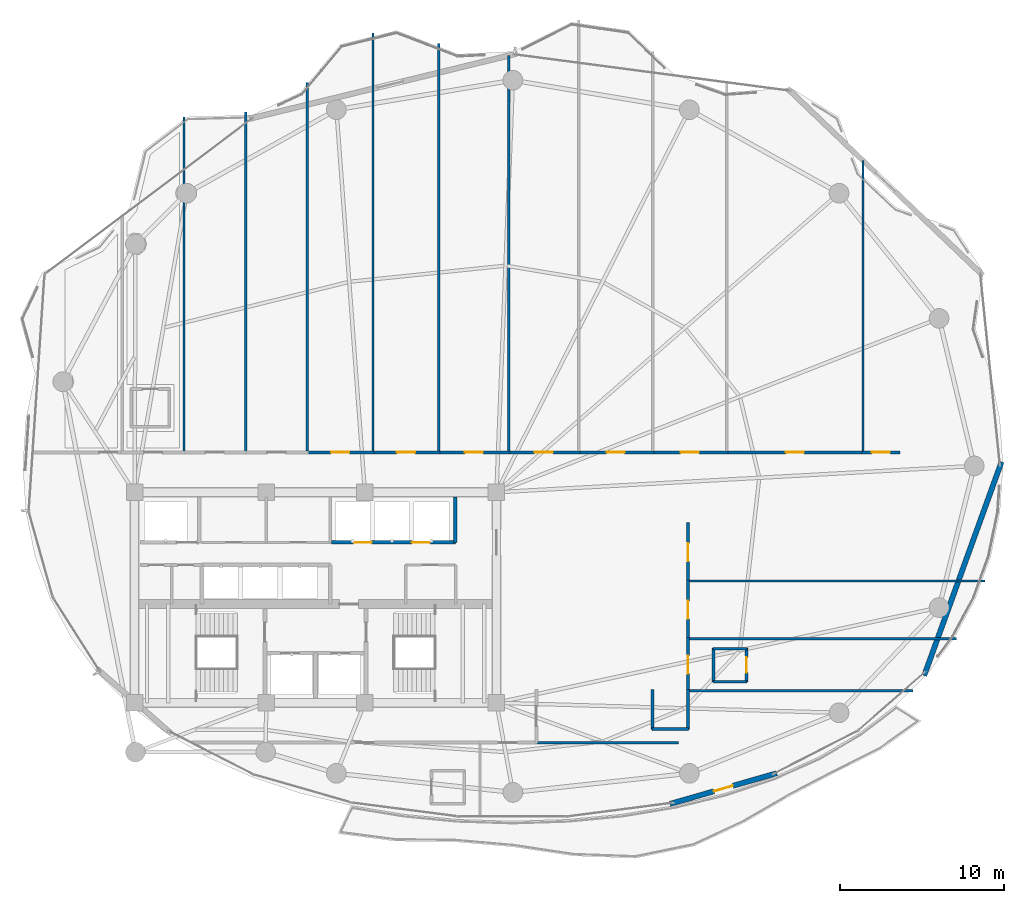
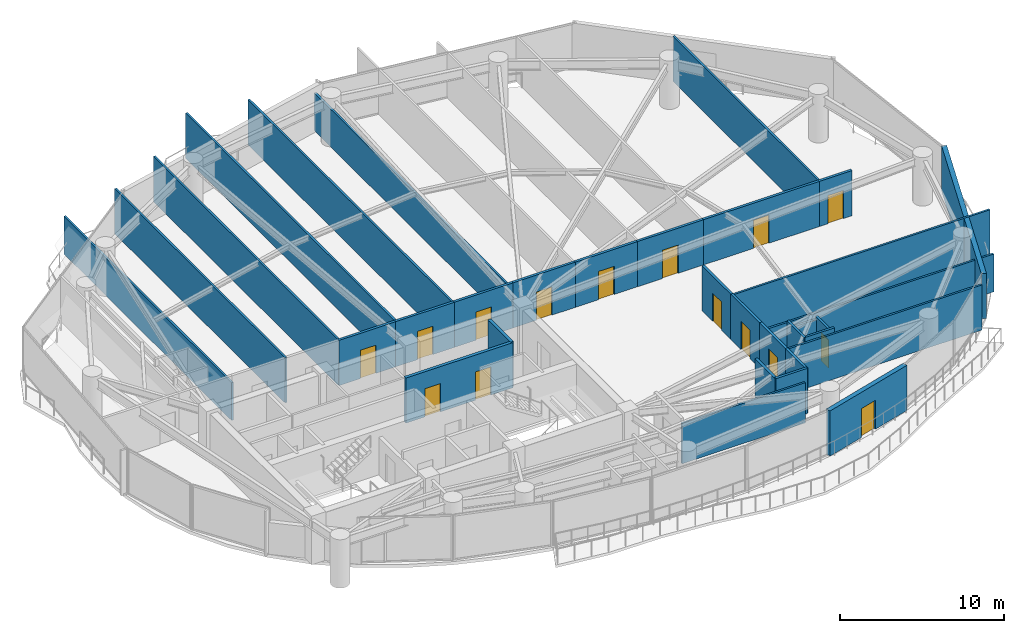
# One storey, part 26 of 31: 33 walls, 15 doors, 15 openings.
"""IFC4 building model written with IfcOpenShell, lengths in metres."""

import ifcopenshell
import ifcopenshell.guid

model = None  # the IFC model being written
_history = None  # IfcOwnerHistory: only IFC2X3 demands one
_inside = {}  # id of a spatial element -> (the spatial element, [elements in it])
_under = {}  # id of a project, library or spatial element -> (it, [spatial elements below it])
_declared = {}  # id of a project -> (the project, [libraries it declares])
_typed = {}  # id of a type object -> (the type object, [elements of that type])
_made_of = {}  # id of a material, layer set ... -> (it, [elements and type objects made of it])


def new_model(schema):
    """Start an empty IFC model of exactly this schema.

    Asked for "IFC4X3", IfcOpenShell would pick the latest addendum, in which some entities
    have other attributes; the version numbers below select the first issue.
    IFC2X3 requires an IfcOwnerHistory on every rooted entity: one is made here for all.
    """
    global model, _history
    if schema == "IFC4X3":
        model = ifcopenshell.file(schema_version=(4, 3, 0, 0))
    else:
        model = ifcopenshell.file(schema=schema)
    _inside.clear()
    _under.clear()
    _declared.clear()
    _typed.clear()
    _made_of.clear()
    _history = None
    if model.schema == "IFC2X3":
        org = make("IfcOrganization", Name="unknown")
        user = make(
            "IfcPersonAndOrganization",
            ThePerson=make("IfcPerson", FamilyName="unknown"),
            TheOrganization=org,
        )
        app = make(
            "IfcApplication",
            ApplicationDeveloper=org,
            Version="unknown",
            ApplicationFullName="unknown",
            ApplicationIdentifier="unknown",
        )
        _history = make(
            "IfcOwnerHistory",
            OwningUser=user,
            OwningApplication=app,
            ChangeAction="ADDED",
            CreationDate=0,
        )
    return model


def make(cls, **values):
    """One entity of the class cls with the attributes given. An attribute that is None is left unset."""
    return model.create_entity(
        cls, **{name: value for name, value in values.items() if value is not None}
    )


def rooted(cls, **values):
    """An entity with a GlobalId (a new one), such as an element, a storey or a relation."""
    return make(cls, GlobalId=ifcopenshell.guid.new(), OwnerHistory=_history, **values)


def si_unit(unit_type, name, prefix=None):
    """IfcSIUnit, for example si_unit("LENGTHUNIT", "METRE", prefix="MILLI")."""
    return make("IfcSIUnit", UnitType=unit_type, Prefix=prefix, Name=name)


def assignment(units):
    """IfcUnitAssignment: the units of a project."""
    return None if units is None else make("IfcUnitAssignment", Units=units)


def point(xyz):
    """IfcCartesianPoint."""
    return None if xyz is None else make("IfcCartesianPoint", Coordinates=xyz)


def direction(xyz):
    """IfcDirection."""
    return None if xyz is None else make("IfcDirection", DirectionRatios=xyz)


def frame(location, z_axis=None, x_axis=None):
    """IfcAxis2Placement3D, a coordinate frame: its origin and axes. An axis left out is left unset."""
    return make(
        "IfcAxis2Placement3D",
        Location=point(location),
        Axis=direction(z_axis),
        RefDirection=direction(x_axis),
    )


def frame_2d(location, x_axis=None):
    """IfcAxis2Placement2D, a coordinate frame in the plane: its origin and x axis."""
    return make(
        "IfcAxis2Placement2D", Location=point(location), RefDirection=direction(x_axis)
    )


def origin():
    """The frame at (0, 0, 0) with its axes left unset."""
    return frame((0.0, 0.0, 0.0))


def place(relative_to, where):
    """IfcLocalPlacement: puts the frame where relative to a parent placement (None: the world)."""
    return make(
        "IfcLocalPlacement", PlacementRelTo=relative_to, RelativePlacement=where
    )


def context(
    kind, dimensions, precision=None, world=None, true_north=None, identifier=None
):
    """IfcGeometricRepresentationContext, for example the 3D "Model" context."""
    return make(
        "IfcGeometricRepresentationContext",
        ContextIdentifier=identifier,
        ContextType=kind,
        CoordinateSpaceDimension=dimensions,
        Precision=precision,
        WorldCoordinateSystem=world,
        TrueNorth=true_north,
    )


def subcontext(parent, identifier, kind, view, scale=None):
    """IfcGeometricRepresentationSubContext, for example "Body" below "Model"."""
    return make(
        "IfcGeometricRepresentationSubContext",
        ContextIdentifier=identifier,
        ContextType=kind,
        ParentContext=parent,
        TargetScale=scale,
        TargetView=view,
    )


def project(units=None, contexts=None):
    """IfcProject with its units and contexts."""
    return rooted(
        "IfcProject",
        Name="project",
        RepresentationContexts=contexts,
        UnitsInContext=assignment(units),
    )


def spatial(cls, under=None, at=None, **own):
    """A site, building, storey or space (cls), placed at a placement, below another one or the project."""
    s = rooted(cls, ObjectPlacement=at, **own)
    if under is not None:
        _under.setdefault(under.id(), (under, []))[1].append(s)
    return s


def profile(cls, at=None, kind="AREA", **sizes):
    """A parametric profile (cls). Its sizes go by their IFC names, for example OverallWidth=200.0."""
    return make(cls, ProfileType=kind, Position=at, **sizes)


def rectangle(**sizes):
    """IfcRectangleProfileDef."""
    return profile("IfcRectangleProfileDef", **sizes)


def extrude(swept, where, along, depth):
    """IfcExtrudedAreaSolid: the profile swept, set in the frame where, extruded along a direction by depth."""
    return make(
        "IfcExtrudedAreaSolid",
        SweptArea=swept,
        Position=where,
        ExtrudedDirection=direction(along),
        Depth=depth,
    )


def shape(context_of_items, identifier, shape_type, items):
    """IfcShapeRepresentation: the items that make up one representation, for example the "Body"."""
    return make(
        "IfcShapeRepresentation",
        ContextOfItems=context_of_items,
        RepresentationIdentifier=identifier,
        RepresentationType=shape_type,
        Items=items,
    )


def material(Name=None, Category=None):
    """IfcMaterial."""
    return make("IfcMaterial", Name=Name, Category=Category)


def layer(
    of_material, thickness, ventilated=None, Name=None, Category=None, Priority=None
):
    """IfcMaterialLayer: one layer of a wall or slab, of a material (None: an air gap)."""
    return make(
        "IfcMaterialLayer",
        Material=of_material,
        LayerThickness=thickness,
        IsVentilated=ventilated,
        Name=Name,
        Category=Category,
        Priority=Priority,
    )


def layer_set(layers, Name=None):
    """IfcMaterialLayerSet."""
    return make("IfcMaterialLayerSet", MaterialLayers=layers, LayerSetName=Name)


def made_of(thing, what):
    """Note that an element or type object is made of a material, layer set ...; save() writes the relation."""
    if what is not None:
        _made_of.setdefault(what.id(), (what, []))[1].append(thing)
    return thing


def type_object(cls, material=None, **own):
    """A type object (cls), such as IfcWallType, which elements share."""
    return made_of(rooted(cls, **own), material)


def element(
    cls,
    number,
    at=None,
    inside=None,
    cuts=None,
    type_object=None,
    material=None,
    context=None,
    identifier="Body",
    shape_type=None,
    held_by="IfcProductDefinitionShape",
    body=None,
    shapes=None,
    **own,
):
    """One element of the class cls, such as IfcWall. Its Tag is "e" and its number.

    at: its placement. inside: the storey or other place that contains it. cuts: it is an
    opening in that element (IfcRelVoidsElement). A single representation is given by context,
    identifier, shape_type and body (its items); several are given by shapes. held_by: the class
    of the entity that holds the representations. save() writes the other relations.
    """
    e = rooted(cls, Tag="e%d" % number, ObjectPlacement=at, **own)
    if body is not None:
        shapes = [shape(context, identifier, shape_type, body)]
    if shapes is not None:
        e.Representation = make(held_by, Representations=shapes)
    if inside is not None:
        _inside.setdefault(inside.id(), (inside, []))[1].append(e)
    if cuts is not None:
        rooted(
            "IfcRelVoidsElement", RelatingBuildingElement=cuts, RelatedOpeningElement=e
        )
    if type_object is not None:
        _typed.setdefault(type_object.id(), (type_object, []))[1].append(e)
    return made_of(e, material)


def fill(opening, filler):
    """IfcRelFillsElement: the door or window that sits in an opening."""
    return rooted(
        "IfcRelFillsElement",
        RelatingOpeningElement=opening,
        RelatedBuildingElement=filler,
    )


def aggregate(whole, parts):
    """IfcRelAggregates: a whole, such as a stair, and the parts it consists of."""
    return rooted("IfcRelAggregates", RelatingObject=whole, RelatedObjects=parts)


def save(model, path):
    """Write the relations noted so far, then the file.

    IfcRelAggregates (storeys below a building ...), IfcRelContainedInSpatialStructure (elements
    in a storey), IfcRelDefinesByType, IfcRelAssociatesMaterial and IfcRelDeclares: one each for
    every whole, place, type object, material and project.
    """
    for whole, parts in _under.values():
        aggregate(whole, parts)
    for where, things in _inside.values():
        rooted(
            "IfcRelContainedInSpatialStructure",
            RelatedElements=things,
            RelatingStructure=where,
        )
    for kind, things in _typed.values():
        rooted("IfcRelDefinesByType", RelatedObjects=things, RelatingType=kind)
    for what, things in _made_of.values():
        rooted("IfcRelAssociatesMaterial", RelatedObjects=things, RelatingMaterial=what)
    for by, libraries in _declared.values():
        rooted("IfcRelDeclares", RelatingContext=by, RelatedDefinitions=libraries)
    model.write(path)


model = new_model("IFC4")

# Units and contexts
model_context = context("Model", 3, precision=1e-05, world=origin(), true_north=direction((0.0, 1.0)))
body_context = subcontext(model_context, "Body", "Model", "MODEL_VIEW")
ifc_project = project(units=[si_unit("LENGTHUNIT", "METRE"), si_unit("AREAUNIT", "SQUARE_METRE"), si_unit("VOLUMEUNIT", "CUBIC_METRE"), si_unit("PLANEANGLEUNIT", "RADIAN"), si_unit("MASSUNIT", "GRAM", prefix="KILO")], contexts=[model_context])

# Site, building, storey
site_placement = place(None, origin())
site = spatial("IfcSite", under=ifc_project, at=site_placement, CompositionType="ELEMENT")
building_placement = place(site_placement, origin())
building = spatial("IfcBuilding", under=site, at=building_placement, Name="Kazevale Care Tower and Concert Hall", CompositionType="ELEMENT")
storey_placement = place(building_placement, frame((0.0, 0.0, 124.199951171875)))
storey = spatial("IfcBuildingStorey", under=building, at=storey_placement, Name="L32", CompositionType="ELEMENT", Elevation=124.199951171875)

# Walls
ifc_material_1 = material(Name="Acoustic Gypsum on Steel Stud", Category="steel")
ifc_layer_1 = layer(ifc_material_1, 0.139892578125)
ifc_layer_set_1 = layer_set([ifc_layer_1], Name="Acoustic Gypsum on Steel Stud")
wall_type_1 = type_object("IfcWallType", Name="Acoustic Care & Suite Partition 140", PredefinedType="PARTITIONING", material=ifc_layer_set_1)
wall_1_placement = place(storey_placement, frame((25.0, 59.22412109375, 0.0), z_axis=(0.0, 0.0, 1.0), x_axis=(0.0, -1.0, 0.0)))
element("IfcWall", 1, at=wall_1_placement, inside=storey, type_object=wall_type_1, Name="wall:L32:auto_023", PredefinedType="PARTITIONING", context=body_context, shape_type="SweptSolid", body=[
    extrude(rectangle(XDim=20.42919921875, YDim=0.139892578125, at=frame_2d((10.214599609375, 0.0))), origin(), (0.0, 0.0, 1.0), 2.80615234375),
])
wall_2_placement = place(storey_placement, frame((28.75, 59.52587890625, 0.0), z_axis=(0.0, 0.0, 1.0), x_axis=(0.0, -1.0, 0.0)))
element("IfcWall", 2, at=wall_2_placement, inside=storey, type_object=wall_type_1, Name="wall:L32:auto_024", PredefinedType="PARTITIONING", context=body_context, shape_type="SweptSolid", body=[
    extrude(rectangle(XDim=20.73095703125, YDim=0.139892578125, at=frame_2d((10.365478515625, 0.0))), origin(), (0.0, 0.0, 1.0), 3.360107421875),
])
wall_3_placement = place(storey_placement, frame((32.5, 61.318115234375, 0.0), z_axis=(0.0, 0.0, 1.0), x_axis=(0.0, -1.0, 0.0)))
element("IfcWall", 3, at=wall_3_placement, inside=storey, type_object=wall_type_1, Name="wall:L32:auto_025", PredefinedType="PARTITIONING", context=body_context, shape_type="SweptSolid", body=[
    extrude(rectangle(XDim=22.523193359375, YDim=0.139892578125, at=frame_2d((11.26171875, 0.0))), origin(), (0.0, 0.0, 1.0), 3.360107421875),
])
wall_4_placement = place(storey_placement, frame((36.5, 64.31005859375, 0.0), z_axis=(0.0, 0.0, 1.0), x_axis=(0.0, -1.0, 0.0)))
element("IfcWall", 4, at=wall_4_placement, inside=storey, type_object=wall_type_1, Name="wall:L32:auto_026", PredefinedType="PARTITIONING", context=body_context, shape_type="SweptSolid", body=[
    extrude(rectangle(XDim=25.51513671875, YDim=0.139892578125, at=frame_2d((12.757568359375, 0.0))), origin(), (0.0, 0.0, 1.0), 3.360107421875),
])
wall_5_placement = place(storey_placement, frame((40.5, 63.674072265625, 0.0), z_axis=(0.0, 0.0, 1.0), x_axis=(0.0, -1.0, 0.0)))
element("IfcWall", 5, at=wall_5_placement, inside=storey, type_object=wall_type_1, Name="wall:L32:auto_027", PredefinedType="PARTITIONING", context=body_context, shape_type="SweptSolid", body=[
    extrude(rectangle(XDim=24.879150390625, YDim=0.139892578125, at=frame_2d((12.439453125, 0.0))), origin(), (0.0, 0.0, 1.0), 3.360107421875),
])
wall_6_placement = place(storey_placement, frame((44.75, 62.939453125, 0.0), z_axis=(0.0, 0.0, 1.0), x_axis=(0.0, -1.0, 0.0)))
element("IfcWall", 6, at=wall_6_placement, inside=storey, type_object=wall_type_1, Name="wall:L32:auto_028", PredefinedType="PARTITIONING", context=body_context, shape_type="SweptSolid", body=[
    extrude(rectangle(XDim=24.14453125, YDim=0.139892578125, at=frame_2d((12.072265625, 0.0))), origin(), (0.0, 0.0, 1.0), 2.80615234375),
])
wall_7_placement = place(storey_placement, frame((66.280029296875, 56.5556640625, 0.0), z_axis=(0.0, 0.0, 1.0), x_axis=(0.0, -1.0, 0.0)))
element("IfcWall", 7, at=wall_7_placement, inside=storey, type_object=wall_type_1, Name="wall:L32:auto_032", PredefinedType="PARTITIONING", context=body_context, shape_type="SweptSolid", body=[
    extrude(rectangle(XDim=17.7607421875, YDim=0.139892578125, at=frame_2d((8.88037109375, 0.0))), origin(), (0.0, 0.0, 1.0), 3.360107421875),
])
wall_8_placement = place(storey_placement, frame((55.6201171875, 24.340087890625, 0.0), z_axis=(0.0, 0.0, 1.0), x_axis=(1.0, 0.0, 0.0)))
element("IfcWall", 8, at=wall_8_placement, inside=storey, type_object=wall_type_1, Name="wall:L32:auto_033", PredefinedType="PARTITIONING", context=body_context, shape_type="SweptSolid", body=[
    extrude(rectangle(XDim=13.69580078125, YDim=0.139892578125, at=frame_2d((6.847900390625, 0.0))), origin(), (0.0, 0.0, 1.0), 3.360107421875),
])
wall_9_placement = place(storey_placement, frame((55.06494140625, 21.175048828125, 0.0), z_axis=(0.0, 0.0, 1.0), x_axis=(-1.0, 0.0, 0.0)))
element("IfcWall", 9, at=wall_9_placement, inside=storey, type_object=wall_type_1, Name="wall:L32:auto_034", PredefinedType="PARTITIONING", context=body_context, shape_type="SweptSolid", body=[
    extrude(rectangle(XDim=8.669921875, YDim=0.139892578125, at=frame_2d((4.3349609375, 0.0))), origin(), (0.0, 0.0, 1.0), 2.99609375),
])
wall_10_placement = place(storey_placement, frame((55.6201171875, 27.5, 0.0), z_axis=(0.0, 0.0, 1.0), x_axis=(1.0, 0.0, 0.0)))
element("IfcWall", 10, at=wall_10_placement, inside=storey, type_object=wall_type_1, Name="wall:L32:auto_035", PredefinedType="PARTITIONING", context=body_context, shape_type="SweptSolid", body=[
    extrude(rectangle(XDim=16.345947265625, YDim=0.139892578125, at=frame_2d((8.1728515625, 0.0))), origin(), (0.0, 0.0, 1.0), 2.80615234375),
])
wall_11_placement = place(storey_placement, frame((55.6201171875, 31.0, 0.0), z_axis=(0.0, 0.0, 1.0), x_axis=(1.0, 0.0, 0.0)))
element("IfcWall", 11, at=wall_11_placement, inside=storey, type_object=wall_type_1, Name="wall:L32:auto_036", PredefinedType="PARTITIONING", context=body_context, shape_type="SweptSolid", body=[
    extrude(rectangle(XDim=18.082763671875, YDim=0.139892578125, at=frame_2d((9.04150390625, 0.0))), origin(), (0.0, 0.0, 1.0), 3.360107421875),
])

# Wall, openings, doors
ifc_material_2 = material(Name="Concrete C40", Category="concrete")
ifc_layer_2 = layer(ifc_material_2, 0.219970703125)
ifc_layer_set_2 = layer_set([ifc_layer_2], Name="Concrete C40")
wall_type_2 = type_object("IfcWallType", Name="Elevator Hoistway Shaft Wall 220", PredefinedType="SOLIDWALL", material=ifc_layer_set_2)
wall_12_placement = place(storey_placement, frame((33.97998046875, 33.35009765625, 0.0), z_axis=(0.0, 0.0, 1.0), x_axis=(1.0, 0.0, 0.0)))
wall_12 = element("IfcWall", 12, at=wall_12_placement, inside=storey, type_object=wall_type_2, Name="wall:L32:c_pm_s", PredefinedType="SOLIDWALL", context=body_context, shape_type="SweptSolid", body=[
    extrude(rectangle(XDim=7.5400390625, YDim=0.219970703125, at=frame_2d((3.77001953125, 0.0))), origin(), (0.0, 0.0, 1.0), 3.360107421875),
])
opening_1_placement = place(wall_12_placement, frame((1.3349609375, 0.0, 0.0)))
opening_1 = element("IfcOpeningElement", 13, at=opening_1_placement, cuts=wall_12, Name="Opening LD-PAX", PredefinedType="OPENING", context=body_context, shape_type="SweptSolid", body=[
    extrude(rectangle(XDim=1.10009765625, YDim=2.10009765625, at=frame_2d((0.550048828125, 1.050048828125))), frame((0.0, 0.119873046875, 0.0), z_axis=(0.0, -1.0, 0.0), x_axis=(1.0, 0.0, 0.0)), (0.0, 0.0, 1.0), 0.239990234375),
])
opening_2_placement = place(wall_12_placement, frame((4.87890625, 0.0, 0.0)))
opening_2 = element("IfcOpeningElement", 14, at=opening_2_placement, cuts=wall_12, Name="Opening LD-PAX", PredefinedType="OPENING", context=body_context, shape_type="SweptSolid", body=[
    extrude(rectangle(XDim=1.10009765625, YDim=2.10009765625, at=frame_2d((0.550048828125, 1.050048828125))), frame((0.0, 0.119873046875, 0.0), z_axis=(0.0, -1.0, 0.0), x_axis=(1.0, 0.0, 0.0)), (0.0, 0.0, 1.0), 0.239990234375),
])
ifc_material_3 = material(Name="Stainless Steel 316", Category="steel")
door_type_1 = type_object("IfcDoorType", Name="Passenger Lift Sliding Landing Door 1100x2100", OperationType="NOTDEFINED", PredefinedType="DOOR", material=ifc_material_3)
door_1_placement = place(opening_1_placement, origin())
door_1 = element("IfcDoor", 15, at=door_1_placement, inside=storey, type_object=door_type_1, Name="door:L32:ld_pm1", OperationType="SLIDING_TO_LEFT", OverallHeight=2.10009765625, OverallWidth=1.10009765625, PredefinedType="DOOR", context=body_context, shape_type="SweptSolid", body=[
    extrude(rectangle(XDim=1.10009765625, YDim=2.10009765625, at=frame_2d((0.550048828125, 1.050048828125))), frame((0.0, 0.02490234375, 0.0), z_axis=(0.0, -1.0, 0.0), x_axis=(1.0, 0.0, 0.0)), (0.0, 0.0, 1.0), 0.050048828125),
])
fill(opening_1, door_1)
door_2_placement = place(opening_2_placement, origin())
door_2 = element("IfcDoor", 16, at=door_2_placement, inside=storey, type_object=door_type_1, Name="door:L32:ld_pm2", OperationType="SLIDING_TO_RIGHT", OverallHeight=2.10009765625, OverallWidth=1.10009765625, PredefinedType="DOOR", context=body_context, shape_type="SweptSolid", body=[
    extrude(rectangle(XDim=1.10009765625, YDim=2.10009765625, at=frame_2d((0.550048828125, 1.050048828125))), frame((0.0, 0.02490234375, 0.0), z_axis=(0.0, -1.0, 0.0), x_axis=(1.0, 0.0, 0.0)), (0.0, 0.0, 1.0), 0.050048828125),
])
fill(opening_2, door_2)

# Wall
wall_13_placement = place(storey_placement, frame((41.5, 33.35009765625, 0.0), z_axis=(0.0, 0.0, 1.0), x_axis=(0.0, 1.0, 0.0)))
element("IfcWall", 17, at=wall_13_placement, inside=storey, type_object=wall_type_2, Name="wall:L32:c_pm_e", PredefinedType="SOLIDWALL", context=body_context, shape_type="SweptSolid", body=[
    extrude(rectangle(XDim=2.75, YDim=0.219970703125, at=frame_2d((1.375, 0.0))), origin(), (0.0, 0.0, 1.0), 3.360107421875),
])

# Wall, opening, door
ifc_material_4 = material(Name="Concrete C40 and Acoustic Gypsum", Category="concrete")
ifc_layer_3 = layer(ifc_material_4, 0.179931640625)
ifc_layer_set_3 = layer_set([ifc_layer_3], Name="Concrete C40 and Acoustic Gypsum")
wall_type_3 = type_object("IfcWallType", Name="Fire-Rated Corridor & Party Wall 180", PredefinedType="PARTITIONING", material=ifc_layer_set_3)
wall_14_placement = place(storey_placement, frame((32.43505859375, 38.824951171875, 0.0), z_axis=(0.0, 0.0, 1.0), x_axis=(1.0, 0.0, 0.0)))
wall_14 = element("IfcWall", 18, at=wall_14_placement, inside=storey, type_object=wall_type_3, Name="wall:L32:auto_005", PredefinedType="PARTITIONING", context=body_context, shape_type="SweptSolid", body=[
    extrude(rectangle(XDim=4.1298828125, YDim=0.179931640625, at=frame_2d((2.06494140625, 0.0))), origin(), (0.0, 0.0, 1.0), 3.360107421875),
])
opening_3_placement = place(wall_14_placement, frame((1.514892578125, 0.0, 0.0)))
opening_3 = element("IfcOpeningElement", 19, at=opening_3_placement, cuts=wall_14, Name="Opening ID-1100", PredefinedType="OPENING", context=body_context, shape_type="SweptSolid", body=[
    extrude(rectangle(XDim=1.10009765625, YDim=2.10009765625, at=frame_2d((0.550048828125, 1.050048828125))), frame((0.0, 0.099853515625, 0.0), z_axis=(0.0, -1.0, 0.0), x_axis=(1.0, 0.0, 0.0)), (0.0, 0.0, 1.0), 0.199951171875),
])
ifc_material_5 = material(Name="Oak Timber Fire Leaf", Category="wood")
door_type_2 = type_object("IfcDoorType", Name="Care Bedroom Accessible Door 1100x2100", OperationType="NOTDEFINED", PredefinedType="DOOR", material=ifc_material_5)
door_3_placement = place(opening_3_placement, origin())
door_3 = element("IfcDoor", 20, at=door_3_placement, inside=storey, type_object=door_type_2, Name="door:L32:ad_005", OperationType="SINGLE_SWING_LEFT", OverallHeight=2.10009765625, OverallWidth=1.10009765625, PredefinedType="DOOR", context=body_context, shape_type="SweptSolid", body=[
    extrude(rectangle(XDim=1.10009765625, YDim=2.10009765625, at=frame_2d((0.550048828125, 1.050048828125))), frame((0.0, 0.02490234375, 0.0), z_axis=(0.0, -1.0, 0.0), x_axis=(1.0, 0.0, 0.0)), (0.0, 0.0, 1.0), 0.050048828125),
])
fill(opening_3, door_3)

wall_15_placement = place(storey_placement, frame((36.43505859375, 38.824951171875, 0.0), z_axis=(0.0, 0.0, 1.0), x_axis=(1.0, 0.0, 0.0)))
wall_15 = element("IfcWall", 21, at=wall_15_placement, inside=storey, type_object=wall_type_3, Name="wall:L32:auto_006", PredefinedType="PARTITIONING", context=body_context, shape_type="SweptSolid", body=[
    extrude(rectangle(XDim=4.1298828125, YDim=0.179931640625, at=frame_2d((2.06494140625, 0.0))), origin(), (0.0, 0.0, 1.0), 3.360107421875),
])
opening_4_placement = place(wall_15_placement, frame((1.514892578125, 0.0, 0.0)))
opening_4 = element("IfcOpeningElement", 22, at=opening_4_placement, cuts=wall_15, Name="Opening ID-1100", PredefinedType="OPENING", context=body_context, shape_type="SweptSolid", body=[
    extrude(rectangle(XDim=1.10009765625, YDim=2.10009765625, at=frame_2d((0.550048828125, 1.050048828125))), frame((0.0, 0.099853515625, 0.0), z_axis=(0.0, -1.0, 0.0), x_axis=(1.0, 0.0, 0.0)), (0.0, 0.0, 1.0), 0.199951171875),
])
door_4_placement = place(opening_4_placement, origin())
door_4 = element("IfcDoor", 23, at=door_4_placement, inside=storey, type_object=door_type_2, Name="door:L32:ad_006", OperationType="SINGLE_SWING_LEFT", OverallHeight=2.10009765625, OverallWidth=1.10009765625, PredefinedType="DOOR", context=body_context, shape_type="SweptSolid", body=[
    extrude(rectangle(XDim=1.10009765625, YDim=2.10009765625, at=frame_2d((0.550048828125, 1.050048828125))), frame((0.0, 0.02490234375, 0.0), z_axis=(0.0, -1.0, 0.0), x_axis=(1.0, 0.0, 0.0)), (0.0, 0.0, 1.0), 0.050048828125),
])
fill(opening_4, door_4)

wall_16_placement = place(storey_placement, frame((40.43505859375, 38.824951171875, 0.0), z_axis=(0.0, 0.0, 1.0), x_axis=(1.0, 0.0, 0.0)))
wall_16 = element("IfcWall", 24, at=wall_16_placement, inside=storey, type_object=wall_type_3, Name="wall:L32:auto_007", PredefinedType="PARTITIONING", context=body_context, shape_type="SweptSolid", body=[
    extrude(rectangle(XDim=4.3798828125, YDim=0.179931640625, at=frame_2d((2.18994140625, 0.0))), origin(), (0.0, 0.0, 1.0), 3.360107421875),
])
opening_5_placement = place(wall_16_placement, frame((1.639892578125, 0.0, 0.0)))
opening_5 = element("IfcOpeningElement", 25, at=opening_5_placement, cuts=wall_16, Name="Opening ID-1100", PredefinedType="OPENING", context=body_context, shape_type="SweptSolid", body=[
    extrude(rectangle(XDim=1.10009765625, YDim=2.10009765625, at=frame_2d((0.550048828125, 1.050048828125))), frame((0.0, 0.099853515625, 0.0), z_axis=(0.0, -1.0, 0.0), x_axis=(1.0, 0.0, 0.0)), (0.0, 0.0, 1.0), 0.199951171875),
])
door_5_placement = place(opening_5_placement, origin())
door_5 = element("IfcDoor", 26, at=door_5_placement, inside=storey, type_object=door_type_2, Name="door:L32:ad_007", OperationType="SINGLE_SWING_LEFT", OverallHeight=2.10009765625, OverallWidth=1.10009765625, PredefinedType="DOOR", context=body_context, shape_type="SweptSolid", body=[
    extrude(rectangle(XDim=1.10009765625, YDim=2.10009765625, at=frame_2d((0.550048828125, 1.050048828125))), frame((0.0, 0.02490234375, 0.0), z_axis=(0.0, -1.0, 0.0), x_axis=(1.0, 0.0, 0.0)), (0.0, 0.0, 1.0), 0.050048828125),
])
fill(opening_5, door_5)

wall_17_placement = place(storey_placement, frame((44.68505859375, 38.824951171875, 0.0), z_axis=(0.0, 0.0, 1.0), x_axis=(1.0, 0.0, 0.0)))
wall_17 = element("IfcWall", 27, at=wall_17_placement, inside=storey, type_object=wall_type_3, Name="wall:L32:auto_008", PredefinedType="PARTITIONING", context=body_context, shape_type="SweptSolid", body=[
    extrude(rectangle(XDim=4.3798828125, YDim=0.179931640625, at=frame_2d((2.18994140625, 0.0))), origin(), (0.0, 0.0, 1.0), 3.360107421875),
])
opening_6_placement = place(wall_17_placement, frame((1.639892578125, 0.0, 0.0)))
opening_6 = element("IfcOpeningElement", 28, at=opening_6_placement, cuts=wall_17, Name="Opening ID-1100", PredefinedType="OPENING", context=body_context, shape_type="SweptSolid", body=[
    extrude(rectangle(XDim=1.10009765625, YDim=2.10009765625, at=frame_2d((0.550048828125, 1.050048828125))), frame((0.0, 0.099853515625, 0.0), z_axis=(0.0, -1.0, 0.0), x_axis=(1.0, 0.0, 0.0)), (0.0, 0.0, 1.0), 0.199951171875),
])
door_6_placement = place(opening_6_placement, origin())
door_6 = element("IfcDoor", 29, at=door_6_placement, inside=storey, type_object=door_type_2, Name="door:L32:ad_008", OperationType="SINGLE_SWING_LEFT", OverallHeight=2.10009765625, OverallWidth=1.10009765625, PredefinedType="DOOR", context=body_context, shape_type="SweptSolid", body=[
    extrude(rectangle(XDim=1.10009765625, YDim=2.10009765625, at=frame_2d((0.550048828125, 1.050048828125))), frame((0.0, 0.02490234375, 0.0), z_axis=(0.0, -1.0, 0.0), x_axis=(1.0, 0.0, 0.0)), (0.0, 0.0, 1.0), 0.050048828125),
])
fill(opening_6, door_6)

wall_18_placement = place(storey_placement, frame((48.93505859375, 38.824951171875, 0.0), z_axis=(0.0, 0.0, 1.0), x_axis=(1.0, 0.0, 0.0)))
wall_18 = element("IfcWall", 30, at=wall_18_placement, inside=storey, type_object=wall_type_3, Name="wall:L32:auto_009", PredefinedType="PARTITIONING", context=body_context, shape_type="SweptSolid", body=[
    extrude(rectangle(XDim=4.6298828125, YDim=0.179931640625, at=frame_2d((2.31494140625, 0.0))), origin(), (0.0, 0.0, 1.0), 3.360107421875),
])
opening_7_placement = place(wall_18_placement, frame((1.764892578125, 0.0, 0.0)))
opening_7 = element("IfcOpeningElement", 31, at=opening_7_placement, cuts=wall_18, Name="Opening ID-1100", PredefinedType="OPENING", context=body_context, shape_type="SweptSolid", body=[
    extrude(rectangle(XDim=1.10009765625, YDim=2.10009765625, at=frame_2d((0.550048828125, 1.050048828125))), frame((0.0, 0.099853515625, 0.0), z_axis=(0.0, -1.0, 0.0), x_axis=(1.0, 0.0, 0.0)), (0.0, 0.0, 1.0), 0.199951171875),
])
door_7_placement = place(opening_7_placement, origin())
door_7 = element("IfcDoor", 32, at=door_7_placement, inside=storey, type_object=door_type_2, Name="door:L32:ad_009", OperationType="SINGLE_SWING_LEFT", OverallHeight=2.10009765625, OverallWidth=1.10009765625, PredefinedType="DOOR", context=body_context, shape_type="SweptSolid", body=[
    extrude(rectangle(XDim=1.10009765625, YDim=2.10009765625, at=frame_2d((0.550048828125, 1.050048828125))), frame((0.0, 0.02490234375, 0.0), z_axis=(0.0, -1.0, 0.0), x_axis=(1.0, 0.0, 0.0)), (0.0, 0.0, 1.0), 0.050048828125),
])
fill(opening_7, door_7)

wall_19_placement = place(storey_placement, frame((53.43505859375, 38.824951171875, 0.0), z_axis=(0.0, 0.0, 1.0), x_axis=(1.0, 0.0, 0.0)))
wall_19 = element("IfcWall", 33, at=wall_19_placement, inside=storey, type_object=wall_type_3, Name="wall:L32:auto_010", PredefinedType="PARTITIONING", context=body_context, shape_type="SweptSolid", body=[
    extrude(rectangle(XDim=4.6298828125, YDim=0.179931640625, at=frame_2d((2.31494140625, 0.0))), origin(), (0.0, 0.0, 1.0), 3.360107421875),
])
opening_8_placement = place(wall_19_placement, frame((1.764892578125, 0.0, 0.0)))
opening_8 = element("IfcOpeningElement", 34, at=opening_8_placement, cuts=wall_19, Name="Opening ID-1100", PredefinedType="OPENING", context=body_context, shape_type="SweptSolid", body=[
    extrude(rectangle(XDim=1.10009765625, YDim=2.10009765625, at=frame_2d((0.550048828125, 1.050048828125))), frame((0.0, 0.099853515625, 0.0), z_axis=(0.0, -1.0, 0.0), x_axis=(1.0, 0.0, 0.0)), (0.0, 0.0, 1.0), 0.199951171875),
])
door_8_placement = place(opening_8_placement, origin())
door_8 = element("IfcDoor", 35, at=door_8_placement, inside=storey, type_object=door_type_2, Name="door:L32:ad_010", OperationType="SINGLE_SWING_LEFT", OverallHeight=2.10009765625, OverallWidth=1.10009765625, PredefinedType="DOOR", context=body_context, shape_type="SweptSolid", body=[
    extrude(rectangle(XDim=1.10009765625, YDim=2.10009765625, at=frame_2d((0.550048828125, 1.050048828125))), frame((0.0, 0.02490234375, 0.0), z_axis=(0.0, -1.0, 0.0), x_axis=(1.0, 0.0, 0.0)), (0.0, 0.0, 1.0), 0.050048828125),
])
fill(opening_8, door_8)

wall_20_placement = place(storey_placement, frame((57.93505859375, 38.824951171875, 0.0), z_axis=(0.0, 0.0, 1.0), x_axis=(1.0, 0.0, 0.0)))
wall_20 = element("IfcWall", 36, at=wall_20_placement, inside=storey, type_object=wall_type_3, Name="wall:L32:auto_011", PredefinedType="PARTITIONING", context=body_context, shape_type="SweptSolid", body=[
    extrude(rectangle(XDim=8.409912109375, YDim=0.179931640625, at=frame_2d((4.205078125, 0.0))), origin(), (0.0, 0.0, 1.0), 3.360107421875),
])
opening_9_placement = place(wall_20_placement, frame((3.655029296875, 0.0, 0.0)))
opening_9 = element("IfcOpeningElement", 37, at=opening_9_placement, cuts=wall_20, Name="Opening ID-1100", PredefinedType="OPENING", context=body_context, shape_type="SweptSolid", body=[
    extrude(rectangle(XDim=1.10009765625, YDim=2.10009765625, at=frame_2d((0.550048828125, 1.050048828125))), frame((0.0, 0.099853515625, 0.0), z_axis=(0.0, -1.0, 0.0), x_axis=(1.0, 0.0, 0.0)), (0.0, 0.0, 1.0), 0.199951171875),
])
door_9_placement = place(opening_9_placement, origin())
door_9 = element("IfcDoor", 38, at=door_9_placement, inside=storey, type_object=door_type_2, Name="door:L32:ad_011", OperationType="SINGLE_SWING_LEFT", OverallHeight=2.10009765625, OverallWidth=1.10009765625, PredefinedType="DOOR", context=body_context, shape_type="SweptSolid", body=[
    extrude(rectangle(XDim=1.10009765625, YDim=2.10009765625, at=frame_2d((0.550048828125, 1.050048828125))), frame((0.0, 0.02490234375, 0.0), z_axis=(0.0, -1.0, 0.0), x_axis=(1.0, 0.0, 0.0)), (0.0, 0.0, 1.0), 0.050048828125),
])
fill(opening_9, door_9)

wall_21_placement = place(storey_placement, frame((66.215087890625, 38.824951171875, 0.0), z_axis=(0.0, 0.0, 1.0), x_axis=(1.0, 0.0, 0.0)))
wall_21 = element("IfcWall", 39, at=wall_21_placement, inside=storey, type_object=wall_type_3, Name="wall:L32:auto_012", PredefinedType="PARTITIONING", context=body_context, shape_type="SweptSolid", body=[
    extrude(rectangle(XDim=2.31494140625, YDim=0.179931640625, at=frame_2d((1.157470703125, 0.0))), origin(), (0.0, 0.0, 1.0), 3.360107421875),
])
opening_10_placement = place(wall_21_placement, frame((0.60693359375, 0.0, 0.0)))
opening_10 = element("IfcOpeningElement", 40, at=opening_10_placement, cuts=wall_21, Name="Opening ID-1100", PredefinedType="OPENING", context=body_context, shape_type="SweptSolid", body=[
    extrude(rectangle(XDim=1.10009765625, YDim=2.10009765625, at=frame_2d((0.550048828125, 1.050048828125))), frame((0.0, 0.099853515625, 0.0), z_axis=(0.0, -1.0, 0.0), x_axis=(1.0, 0.0, 0.0)), (0.0, 0.0, 1.0), 0.199951171875),
])
door_10_placement = place(opening_10_placement, origin())
door_10 = element("IfcDoor", 41, at=door_10_placement, inside=storey, type_object=door_type_2, Name="door:L32:ad_012", OperationType="SINGLE_SWING_LEFT", OverallHeight=2.10009765625, OverallWidth=1.10009765625, PredefinedType="DOOR", context=body_context, shape_type="SweptSolid", body=[
    extrude(rectangle(XDim=1.10009765625, YDim=2.10009765625, at=frame_2d((0.550048828125, 1.050048828125))), frame((0.0, 0.02490234375, 0.0), z_axis=(0.0, -1.0, 0.0), x_axis=(1.0, 0.0, 0.0)), (0.0, 0.0, 1.0), 0.050048828125),
])
fill(opening_10, door_10)

# Walls
for number, where, z_axis, x_axis, name in (
    (42, (55.64990234375, 24.405029296875, 0.0), (0.0, 0.0, 1.0), (0.0, -1.0, 0.0), "wall:L32:auto_014"),
    (43, (53.5, 21.969970703125, 0.0), (0.0, 0.0, 1.0), (0.0, 1.0, 0.0), "wall:L32:auto_015"),
):
    element("IfcWall", number, at=place(storey_placement, frame(where, z_axis=z_axis, x_axis=x_axis)), inside=storey, type_object=wall_type_3, Name=name, PredefinedType="PARTITIONING", context=body_context, shape_type="SweptSolid", body=[
        extrude(rectangle(XDim=2.43505859375, YDim=0.179931640625, at=frame_2d((1.217529296875, 0.0))), origin(), (0.0, 0.0, 1.0), 3.360107421875),
    ])
wall_22_placement = place(storey_placement, frame((55.679931640625, 22.0, 0.0), z_axis=(0.0, 0.0, 1.0), x_axis=(-1.0, 0.0, 0.0)))
element("IfcWall", 44, at=wall_22_placement, inside=storey, type_object=wall_type_3, Name="wall:L32:auto_016", PredefinedType="PARTITIONING", context=body_context, shape_type="SweptSolid", body=[
    extrude(rectangle(XDim=2.2099609375, YDim=0.179931640625, at=frame_2d((1.10498046875, 0.0))), origin(), (0.0, 0.0, 1.0), 3.360107421875),
])

# Wall, opening, door
wall_23_placement = place(storey_placement, frame((55.64990234375, 27.56494140625, 0.0), z_axis=(0.0, 0.0, 1.0), x_axis=(0.0, -1.0, 0.0)))
wall_23 = element("IfcWall", 45, at=wall_23_placement, inside=storey, type_object=wall_type_3, Name="wall:L32:auto_017", PredefinedType="PARTITIONING", context=body_context, shape_type="SweptSolid", body=[
    extrude(rectangle(XDim=3.2900390625, YDim=0.179931640625, at=frame_2d((1.64501953125, 0.0))), origin(), (0.0, 0.0, 1.0), 3.360107421875),
])
opening_11_placement = place(wall_23_placement, frame((1.094970703125, 0.0, 0.0)))
opening_11 = element("IfcOpeningElement", 46, at=opening_11_placement, cuts=wall_23, Name="Opening ID-1100", PredefinedType="OPENING", context=body_context, shape_type="SweptSolid", body=[
    extrude(rectangle(XDim=1.10009765625, YDim=2.10009765625, at=frame_2d((0.550048828125, 1.050048828125))), frame((0.0, 0.099853515625, 0.0), z_axis=(0.0, -1.0, 0.0), x_axis=(1.0, 0.0, 0.0)), (0.0, 0.0, 1.0), 0.199951171875),
])
door_11_placement = place(opening_11_placement, origin())
door_11 = element("IfcDoor", 47, at=door_11_placement, inside=storey, type_object=door_type_2, Name="door:L32:ad_017", OperationType="SINGLE_SWING_LEFT", OverallHeight=2.10009765625, OverallWidth=1.10009765625, PredefinedType="DOOR", context=body_context, shape_type="SweptSolid", body=[
    extrude(rectangle(XDim=1.10009765625, YDim=2.10009765625, at=frame_2d((0.550048828125, 1.050048828125))), frame((0.0, 0.02490234375, 0.0), z_axis=(0.0, -1.0, 0.0), x_axis=(1.0, 0.0, 0.0)), (0.0, 0.0, 1.0), 0.050048828125),
])
fill(opening_11, door_11)

wall_24_placement = place(storey_placement, frame((55.64990234375, 31.06494140625, 0.0), z_axis=(0.0, 0.0, 1.0), x_axis=(0.0, -1.0, 0.0)))
wall_24 = element("IfcWall", 48, at=wall_24_placement, inside=storey, type_object=wall_type_3, Name="wall:L32:auto_018", PredefinedType="PARTITIONING", context=body_context, shape_type="SweptSolid", body=[
    extrude(rectangle(XDim=3.6298828125, YDim=0.179931640625, at=frame_2d((1.81494140625, 0.0))), origin(), (0.0, 0.0, 1.0), 3.360107421875),
])
opening_12_placement = place(wall_24_placement, frame((1.264892578125, 0.0, 0.0)))
opening_12 = element("IfcOpeningElement", 49, at=opening_12_placement, cuts=wall_24, Name="Opening ID-1100", PredefinedType="OPENING", context=body_context, shape_type="SweptSolid", body=[
    extrude(rectangle(XDim=1.10009765625, YDim=2.10009765625, at=frame_2d((0.550048828125, 1.050048828125))), frame((0.0, 0.099853515625, 0.0), z_axis=(0.0, -1.0, 0.0), x_axis=(1.0, 0.0, 0.0)), (0.0, 0.0, 1.0), 0.199951171875),
])
door_12_placement = place(opening_12_placement, origin())
door_12 = element("IfcDoor", 50, at=door_12_placement, inside=storey, type_object=door_type_2, Name="door:L32:ad_018", OperationType="SINGLE_SWING_LEFT", OverallHeight=2.10009765625, OverallWidth=1.10009765625, PredefinedType="DOOR", context=body_context, shape_type="SweptSolid", body=[
    extrude(rectangle(XDim=1.10009765625, YDim=2.10009765625, at=frame_2d((0.550048828125, 1.050048828125))), frame((0.0, 0.02490234375, 0.0), z_axis=(0.0, -1.0, 0.0), x_axis=(1.0, 0.0, 0.0)), (0.0, 0.0, 1.0), 0.050048828125),
])
fill(opening_12, door_12)

wall_25_placement = place(storey_placement, frame((55.64990234375, 34.56494140625, 0.0), z_axis=(0.0, 0.0, 1.0), x_axis=(0.0, -1.0, 0.0)))
wall_25 = element("IfcWall", 51, at=wall_25_placement, inside=storey, type_object=wall_type_3, Name="wall:L32:auto_019", PredefinedType="PARTITIONING", context=body_context, shape_type="SweptSolid", body=[
    extrude(rectangle(XDim=3.6298828125, YDim=0.179931640625, at=frame_2d((1.81494140625, 0.0))), origin(), (0.0, 0.0, 1.0), 3.360107421875),
])
opening_13_placement = place(wall_25_placement, frame((1.264892578125, 0.0, 0.0)))
opening_13 = element("IfcOpeningElement", 52, at=opening_13_placement, cuts=wall_25, Name="Opening ID-1100", PredefinedType="OPENING", context=body_context, shape_type="SweptSolid", body=[
    extrude(rectangle(XDim=1.10009765625, YDim=2.10009765625, at=frame_2d((0.550048828125, 1.050048828125))), frame((0.0, 0.099853515625, 0.0), z_axis=(0.0, -1.0, 0.0), x_axis=(1.0, 0.0, 0.0)), (0.0, 0.0, 1.0), 0.199951171875),
])
door_13_placement = place(opening_13_placement, origin())
door_13 = element("IfcDoor", 53, at=door_13_placement, inside=storey, type_object=door_type_2, Name="door:L32:ad_019", OperationType="SINGLE_SWING_LEFT", OverallHeight=2.10009765625, OverallWidth=1.10009765625, PredefinedType="DOOR", context=body_context, shape_type="SweptSolid", body=[
    extrude(rectangle(XDim=1.10009765625, YDim=2.10009765625, at=frame_2d((0.550048828125, 1.050048828125))), frame((0.0, 0.02490234375, 0.0), z_axis=(0.0, -1.0, 0.0), x_axis=(1.0, 0.0, 0.0)), (0.0, 0.0, 1.0), 0.050048828125),
])
fill(opening_13, door_13)

# Walls
ifc_layer_4 = layer(ifc_material_1, 0.159912109375)
ifc_layer_set_4 = layer_set([ifc_layer_4], Name="Acoustic Gypsum on Steel Stud")
wall_type_4 = type_object("IfcWallType", Name="Moisture-Resistant Bathroom Plumbing Wall 160", PredefinedType="PLUMBINGWALL", material=ifc_layer_set_4)
wall_26_placement = place(storey_placement, frame((57.159912109375, 24.889892578125, 0.0), z_axis=(0.0, 0.0, 1.0), x_axis=(1.0, 0.0, 0.0)))
element("IfcWall", 54, at=wall_26_placement, inside=storey, type_object=wall_type_4, Name="wall:L32:eb1b_ens_ws", PredefinedType="PLUMBINGWALL", context=body_context, shape_type="SweptSolid", body=[
    extrude(rectangle(XDim=2.080078125, YDim=0.159912109375, at=frame_2d((1.0400390625, 0.0))), origin(), (0.0, 0.0, 1.0), 3.360107421875),
])
wall_27_placement = place(storey_placement, frame((57.159912109375, 26.889892578125, 0.0), z_axis=(0.0, 0.0, 1.0), x_axis=(1.0, 0.0, 0.0)))
element("IfcWall", 55, at=wall_27_placement, inside=storey, type_object=wall_type_4, Name="wall:L32:eb1b_ens_wn", PredefinedType="PLUMBINGWALL", context=body_context, shape_type="SweptSolid", body=[
    extrude(rectangle(XDim=2.080078125, YDim=0.159912109375, at=frame_2d((1.0400390625, 0.0))), origin(), (0.0, 0.0, 1.0), 2.80615234375),
])
wall_28_placement = place(storey_placement, frame((57.199951171875, 24.85009765625, 0.0), z_axis=(0.0, 0.0, 1.0), x_axis=(0.0, 1.0, 0.0)))
element("IfcWall", 56, at=wall_28_placement, inside=storey, type_object=wall_type_4, Name="wall:L32:eb1b_ens_ww", PredefinedType="PLUMBINGWALL", context=body_context, shape_type="SweptSolid", body=[
    extrude(rectangle(XDim=2.079833984375, YDim=0.159912109375, at=frame_2d((1.0400390625, 0.0))), origin(), (0.0, 0.0, 1.0), 3.360107421875),
])

# Wall, opening, door
wall_29_placement = place(storey_placement, frame((59.199951171875, 24.85009765625, 0.0), z_axis=(0.0, 0.0, 1.0), x_axis=(0.0, 1.0, 0.0)))
wall_29 = element("IfcWall", 57, at=wall_29_placement, inside=storey, type_object=wall_type_4, Name="wall:L32:eb1b_ens_we", PredefinedType="PLUMBINGWALL", context=body_context, shape_type="SweptSolid", body=[
    extrude(rectangle(XDim=2.079833984375, YDim=0.159912109375, at=frame_2d((1.0400390625, 0.0))), origin(), (0.0, 0.0, 1.0), 2.99609375),
])
opening_14_placement = place(wall_29_placement, frame((0.590087890625, 0.0, 0.0)))
opening_14 = element("IfcOpeningElement", 58, at=opening_14_placement, cuts=wall_29, Name="Opening ID-900", PredefinedType="OPENING", context=body_context, shape_type="SweptSolid", body=[
    extrude(rectangle(XDim=0.919921875, YDim=2.10009765625, at=frame_2d((0.4599609375, 1.050048828125))), frame((0.0, 0.08984375, 0.0), z_axis=(0.0, -1.0, 0.0), x_axis=(1.0, 0.0, 0.0)), (0.0, 0.0, 1.0), 0.179931640625),
])
door_type_3 = type_object("IfcDoorType", Name="Bathroom & Service Door 920x2100", OperationType="NOTDEFINED", PredefinedType="DOOR", material=ifc_material_5)
door_14_placement = place(opening_14_placement, origin())
door_14 = element("IfcDoor", 59, at=door_14_placement, inside=storey, type_object=door_type_3, Name="door:L32:eb1b_ens_d", OperationType="SINGLE_SWING_LEFT", OverallHeight=2.10009765625, OverallWidth=0.919921875, PredefinedType="DOOR", context=body_context, shape_type="SweptSolid", body=[
    extrude(rectangle(XDim=0.919921875, YDim=2.10009765625, at=frame_2d((0.4599609375, 1.050048828125))), frame((0.0, 0.02490234375, 0.0), z_axis=(0.0, -1.0, 0.0), x_axis=(1.0, 0.0, 0.0)), (0.0, 0.0, 1.0), 0.050048828125),
])
fill(opening_14, door_14)

# Wall
ifc_material_6 = material(Name="Concrete C40 with Honed Limestone Cladding", Category="masonry")
ifc_layer_5 = layer(ifc_material_6, 0.320068359375)
ifc_layer_set_5 = layer_set([ifc_layer_5], Name="Concrete C40 with Honed Limestone Cladding")
wall_type_5 = type_object("IfcWallType", Name="Tower Honed Limestone Spandrel Wall 320", PredefinedType="STANDARD", material=ifc_layer_set_5)
wall_30_placement = place(storey_placement, frame((74.7080078125, 38.243896484375, 0.0), z_axis=(0.0, 0.0, 1.0), x_axis=(-0.340324669139, -0.94030799187, 0.0)))
element("IfcWall", 60, at=wall_30_placement, inside=storey, type_object=wall_type_5, Name="wall:cw:L32:f01", PredefinedType="STANDARD", context=body_context, shape_type="SweptSolid", body=[
    extrude(rectangle(XDim=13.810302734375, YDim=0.320068359375, at=frame_2d((6.9052734375, 0.0))), origin(), (0.0, 0.0, 1.0), 3.360107421875),
])

# Wall, opening, door
wall_31_placement = place(storey_placement, frame((61.0390625, 19.31689453125, 0.0), z_axis=(0.0, 0.0, 1.0), x_axis=(-0.96106509915, -0.276322049784, 0.0)))
wall_31 = element("IfcWall", 61, at=wall_31_placement, inside=storey, type_object=wall_type_5, Name="wall:L32:bal_host", PredefinedType="STANDARD", context=body_context, shape_type="SweptSolid", body=[
    extrude(rectangle(XDim=6.745849609375, YDim=0.320068359375, at=frame_2d((3.373046875, 0.0))), origin(), (0.0, 0.0, 1.0), 3.360107421875),
])
opening_15_placement = place(wall_31_placement, frame((2.77294921875, 0.0, 0.0)))
opening_15 = element("IfcOpeningElement", 62, at=opening_15_placement, cuts=wall_31, Name="Opening BD-1200", PredefinedType="OPENING", context=body_context, shape_type="SweptSolid", body=[
    extrude(rectangle(XDim=1.199951171875, YDim=2.14990234375, at=frame_2d((0.60009765625, 1.074951171875))), frame((0.0, 0.169921875, 0.0), z_axis=(0.0, -1.0, 0.0), x_axis=(1.0, 0.0, 0.0)), (0.0, 0.0, 1.0), 0.340087890625),
])
ifc_material_7 = material(Name="Aluminium 6063-T6 and Low-E Glass", Category="aluminium")
door_type_4 = type_object("IfcDoorType", Name="Sheltered Balcony Glazed Door 1200x2150", OperationType="NOTDEFINED", PredefinedType="DOOR", material=ifc_material_7)
door_15_placement = place(opening_15_placement, origin())
door_15 = element("IfcDoor", 63, at=door_15_placement, inside=storey, type_object=door_type_4, Name="door:L32:BD-1", OperationType="SINGLE_SWING_LEFT", OverallHeight=2.14990234375, OverallWidth=1.199951171875, PredefinedType="DOOR", context=body_context, shape_type="SweptSolid", body=[
    extrude(rectangle(XDim=1.199951171875, YDim=2.14990234375, at=frame_2d((0.60009765625, 1.074951171875))), frame((0.0, 0.02490234375, 0.0), z_axis=(0.0, -1.0, 0.0), x_axis=(1.0, 0.0, 0.0)), (0.0, 0.0, 1.0), 0.050048828125),
])
fill(opening_15, door_15)

save(model, "model.ifc")
